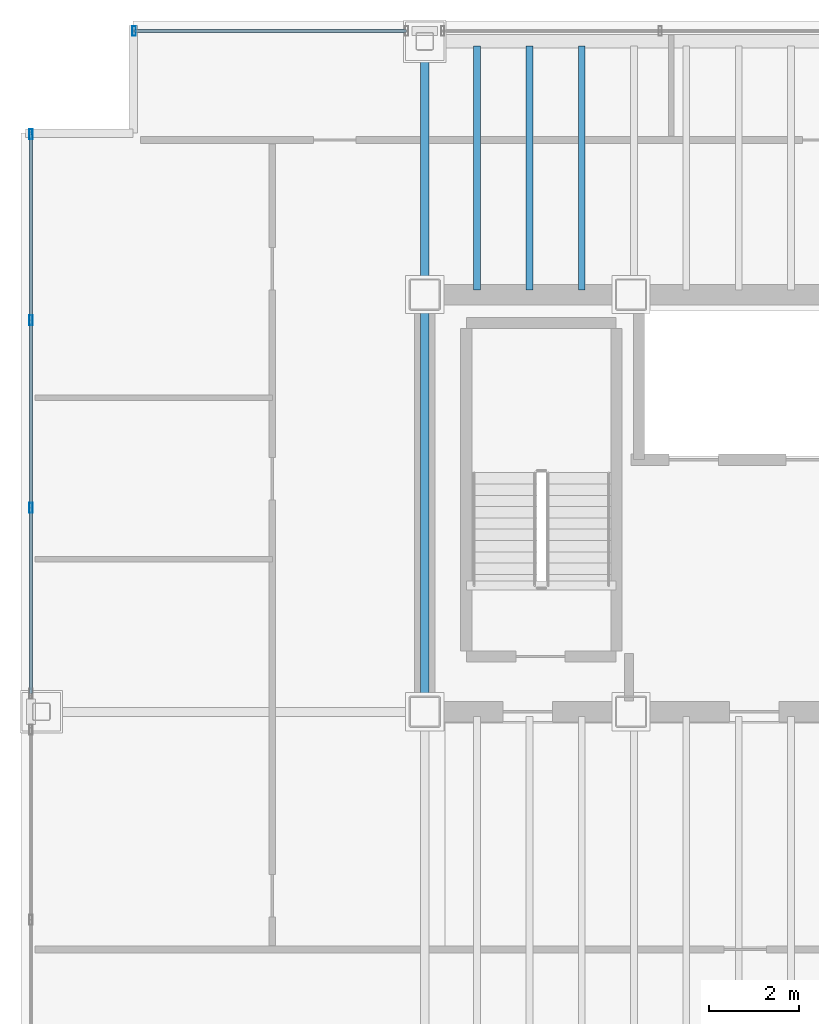
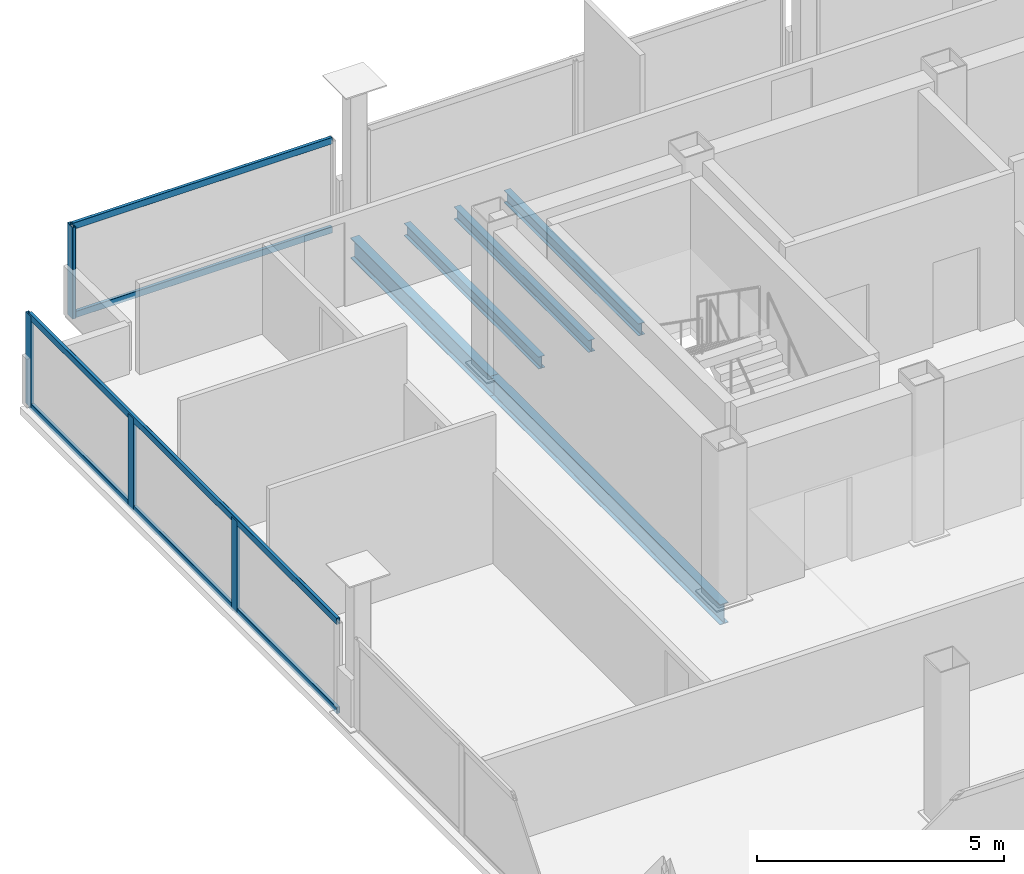
# One storey, part 7 of 16: 8 members, 5 beams, 2 elements without a shape of their own.
"""IFC4 building model written with IfcOpenShell, lengths in metres."""

from ifc_helpers import new_model, si_unit, direction, frame, origin, origin_2d, place, context, subcontext, project, spatial, hollow_rectangle, i_section, extrude, material, material_profile, profile_set, type_object, element, aggregate, save


model = new_model("IFC4")

# Units and contexts
model_context = context("Model", 3, precision=1e-05, world=origin(), true_north=direction((0.0, 1.0)))
body_context = subcontext(model_context, "Body", "Model", "MODEL_VIEW")
ifc_project = project(units=[si_unit("LENGTHUNIT", "METRE"), si_unit("AREAUNIT", "SQUARE_METRE"), si_unit("VOLUMEUNIT", "CUBIC_METRE"), si_unit("PLANEANGLEUNIT", "RADIAN"), si_unit("MASSUNIT", "GRAM", prefix="KILO")], contexts=[model_context])

# Site, building, storey
site_placement = place(None, origin())
site = spatial("IfcSite", under=ifc_project, at=site_placement, CompositionType="ELEMENT")
building_placement = place(site_placement, origin())
building = spatial("IfcBuilding", under=site, at=building_placement, Name="Noeulbin Bourse Tower", CompositionType="ELEMENT")
storey_placement = place(building_placement, frame((0.0, 0.0, 277.39990234375)))
storey = spatial("IfcBuildingStorey", under=building, at=storey_placement, Name="L69", CompositionType="ELEMENT", Elevation=277.39990234375)

# Beams
ifc_material_1 = material(Name="Steel S355", Category="steel")
ifc_material_profile_1 = material_profile(ifc_material_1, i_section(OverallWidth=0.199951171875, OverallDepth=0.5, WebThickness=0.010009765625, FlangeThickness=0.01611328125, FilletRadius=0.02001953125, at=origin_2d()), Name="H-500x200x10x16", Category="LoadBearing")
ifc_profile_set_1 = profile_set([ifc_material_profile_1], Name="Steel S355")
beam_type_1 = type_object("IfcBeamType", Name="BM-GRD-500", PredefinedType="USERDEFINED", material=ifc_profile_set_1)
beam_1_placement = place(storey_placement, frame((13.5, 29.0, -0.429931640625), z_axis=(0.0, 1.0, 0.0), x_axis=(-1.0, 0.0, 0.0)))
element("IfcBeam", 1, at=beam_1_placement, inside=storey, type_object=beam_type_1, Name="Tower Primary Girder NS L69-1.3", ObjectType="GIRDER", PredefinedType="USERDEFINED", context=body_context, shape_type="SweptSolid", body=[
    extrude(i_section(OverallWidth=0.199951171875, OverallDepth=0.5, WebThickness=0.010009765625, FlangeThickness=0.01611328125, FilletRadius=0.02001953125, at=origin_2d()), origin(), (0.0, 0.0, 1.0), 9.300048828125),
])
beam_2_placement = place(storey_placement, frame((13.5, 38.300048828125, -0.429931640625), z_axis=(0.0, 1.0, 0.0), x_axis=(-1.0, 0.0, 0.0)))
element("IfcBeam", 2, at=beam_2_placement, inside=storey, type_object=beam_type_1, Name="Tower Primary Girder NS L69-1.4", ObjectType="GIRDER", PredefinedType="USERDEFINED", context=body_context, shape_type="SweptSolid", body=[
    extrude(i_section(OverallWidth=0.199951171875, OverallDepth=0.5, WebThickness=0.010009765625, FlangeThickness=0.01611328125, FilletRadius=0.02001953125, at=origin_2d()), origin(), (0.0, 0.0, 1.0), 5.64990234375),
])
ifc_material_profile_2 = material_profile(ifc_material_1, i_section(OverallWidth=0.14990234375, OverallDepth=0.300048828125, WebThickness=0.006591796875, FlangeThickness=0.009033203125, FilletRadius=0.012939453125, at=origin_2d()), Name="H-300x150x6.5x9", Category="LoadBearing")
ifc_profile_set_2 = profile_set([ifc_material_profile_2], Name="Steel S355")
beam_type_2 = type_object("IfcBeamType", Name="BM-JST-300", PredefinedType="JOIST", material=ifc_profile_set_2)
for number, where, z_axis, x_axis, name in (
    (3, (14.666748046875, 38.39990234375, -0.329833984375), (0.0, 1.0, 0.0), (-1.0, 0.0, 0.0), "Tower Composite Joist L69-02"),
    (4, (15.833251953125, 38.39990234375, -0.329833984375), (0.0, 1.0, 0.0), (-1.0, 0.0, 0.0), "Tower Composite Joist L69-04"),
    (5, (17.0, 38.39990234375, -0.329833984375), (0.0, 1.0, 0.0), (-1.0, 0.0, 0.0), "Tower Composite Joist L69-06"),
):
    element("IfcBeam", number, at=place(storey_placement, frame(where, z_axis=z_axis, x_axis=x_axis)), inside=storey, type_object=beam_type_2, Name=name, PredefinedType="JOIST", context=body_context, shape_type="SweptSolid", body=[
        extrude(i_section(OverallWidth=0.14990234375, OverallDepth=0.300048828125, WebThickness=0.006591796875, FlangeThickness=0.009033203125, FilletRadius=0.012939453125, at=origin_2d()), origin(), (0.0, 0.0, 1.0), 5.4501953125),
    ])

# Curtain wall, member
ifc_material_2 = material(Name="High-Selectivity Low-Iron Glazing", Category="glass")
curtain_wall_type = type_object("IfcCurtainWallType", Name="CW-SYS-4", PredefinedType="NOTDEFINED", material=ifc_material_2)
curtain_wall_1_placement = place(storey_placement, origin())
curtain_wall_1 = element("IfcCurtainWall", 6, at=curtain_wall_1_placement, inside=storey, type_object=curtain_wall_type, Name="Unitised Curtain Wall CW-L69-N-S1", PredefinedType="NOTDEFINED")
ifc_material_3 = material(Name="Anodised Aluminium 6063-T6", Category="aluminium")
ifc_material_profile_3 = material_profile(ifc_material_3, hollow_rectangle(XDim=0.074951171875, YDim=0.219970703125, WallThickness=0.0048828125, InnerFilletRadius=0.00244140625, OuterFilletRadius=0.0048828125, at=origin_2d()), Name="ALU-MULL-75x220x5", Category="LoadBearing")
ifc_profile_set_3 = profile_set([ifc_material_profile_3], Name="Anodised Aluminium 6063-T6")
member_type_1 = type_object("IfcMemberType", Name="CW-SYS-4-MUL", PredefinedType="MULLION", material=ifc_profile_set_3)
member_1_placement = place(storey_placement, frame((7.02001953125, 44.179931640625, -0.02001953125), z_axis=(0.0, 0.0, 1.0), x_axis=(1.0, 0.0, 0.0)))
member_1 = element("IfcMember", 7, at=member_1_placement, type_object=member_type_1, Name="Curtain Wall Mullion CW-L69-N-S1-M00", PredefinedType="MULLION", context=body_context, shape_type="SweptSolid", body=[
    extrude(hollow_rectangle(XDim=0.074951171875, YDim=0.219970703125, WallThickness=0.0048828125, InnerFilletRadius=0.00244140625, OuterFilletRadius=0.0048828125, at=origin_2d()), origin(), (0.0, 0.0, 1.0), 2.260009765625),
])

# Curtain wall, members
curtain_wall_2_placement = place(storey_placement, origin())
curtain_wall_2 = element("IfcCurtainWall", 8, at=curtain_wall_2_placement, inside=storey, type_object=curtain_wall_type, Name="Unitised Curtain Wall CW-L69-W-S2", PredefinedType="NOTDEFINED")
member_2_placement = place(storey_placement, frame((4.719970703125, 33.546630859375, -0.02001953125), z_axis=(0.0, 0.0, 1.0), x_axis=(1.0, 0.0, 0.0)))
member_2 = element("IfcMember", 9, at=member_2_placement, type_object=member_type_1, Name="Curtain Wall Mullion CW-L69-W-S2-M01", PredefinedType="MULLION", context=body_context, shape_type="SweptSolid", body=[
    extrude(hollow_rectangle(XDim=0.074951171875, YDim=0.219970703125, WallThickness=0.0048828125, InnerFilletRadius=0.00244140625, OuterFilletRadius=0.0048828125, at=origin_2d()), origin(), (0.0, 0.0, 1.0), 2.260009765625),
])
member_3_placement = place(storey_placement, frame((4.719970703125, 37.7333984375, -0.02001953125), z_axis=(0.0, 0.0, 1.0), x_axis=(1.0, 0.0, 0.0)))
member_3 = element("IfcMember", 10, at=member_3_placement, type_object=member_type_1, Name="Curtain Wall Mullion CW-L69-W-S2-M02", PredefinedType="MULLION", context=body_context, shape_type="SweptSolid", body=[
    extrude(hollow_rectangle(XDim=0.074951171875, YDim=0.219970703125, WallThickness=0.0048828125, InnerFilletRadius=0.00244140625, OuterFilletRadius=0.0048828125, at=origin_2d()), origin(), (0.0, 0.0, 1.0), 2.260009765625),
])
member_4_placement = place(storey_placement, frame((4.719970703125, 41.8798828125, -0.02001953125), z_axis=(0.0, 0.0, 1.0), x_axis=(1.0, 0.0, 0.0)))
member_4 = element("IfcMember", 11, at=member_4_placement, type_object=member_type_1, Name="Curtain Wall Mullion CW-L69-W-S2-M03", PredefinedType="MULLION", context=body_context, shape_type="SweptSolid", body=[
    extrude(hollow_rectangle(XDim=0.074951171875, YDim=0.219970703125, WallThickness=0.0048828125, InnerFilletRadius=0.00244140625, OuterFilletRadius=0.0048828125, at=origin_2d()), origin(), (0.0, 0.0, 1.0), 2.260009765625),
])

# Member
ifc_material_profile_4 = material_profile(ifc_material_3, hollow_rectangle(XDim=0.074951171875, YDim=0.159912109375, WallThickness=0.0048828125, InnerFilletRadius=0.00244140625, OuterFilletRadius=0.0048828125, at=origin_2d()), Name="ALU-TRAN-75x160x5", Category="LoadBearing")
ifc_profile_set_4 = profile_set([ifc_material_profile_4], Name="Anodised Aluminium 6063-T6")
member_type_2 = type_object("IfcMemberType", Name="CW-SYS-4-TRN", PredefinedType="USERDEFINED", material=ifc_profile_set_4)
member_5_placement = place(storey_placement, frame((7.030029296875, 44.179931640625, 0.010009765625), z_axis=(1.0, 0.0, 0.0), x_axis=(0.0, 1.0, 0.0)))
member_5 = element("IfcMember", 12, at=member_5_placement, type_object=member_type_2, Name="Curtain Wall Transom CW-L69-N-S1-T00", ObjectType="TRANSOM", PredefinedType="USERDEFINED", context=body_context, shape_type="SweptSolid", body=[
    extrude(hollow_rectangle(XDim=0.074951171875, YDim=0.159912109375, WallThickness=0.0048828125, InnerFilletRadius=0.00244140625, OuterFilletRadius=0.0048828125, at=origin_2d()), origin(), (0.0, 0.0, 1.0), 6.06005859375),
])

member_6_placement = place(storey_placement, frame((7.030029296875, 44.179931640625, 2.210205078125), z_axis=(1.0, 0.0, 0.0), x_axis=(0.0, 1.0, 0.0)))
member_6 = element("IfcMember", 13, at=member_6_placement, type_object=member_type_2, Name="Curtain Wall Transom CW-L69-N-S1-T01", ObjectType="TRANSOM", PredefinedType="USERDEFINED", context=body_context, shape_type="SweptSolid", body=[
    extrude(hollow_rectangle(XDim=0.074951171875, YDim=0.159912109375, WallThickness=0.0048828125, InnerFilletRadius=0.00244140625, OuterFilletRadius=0.0048828125, at=origin_2d()), origin(), (0.0, 0.0, 1.0), 6.06005859375),
])

aggregate(curtain_wall_1, [member_1, member_5, member_6])

member_7_placement = place(storey_placement, frame((4.719970703125, 29.409912109375, 0.010009765625), z_axis=(0.0, 1.0, 0.0), x_axis=(-1.0, 0.0, 0.0)))
member_7 = element("IfcMember", 14, at=member_7_placement, type_object=member_type_2, Name="Curtain Wall Transom CW-L69-W-S2-T00", ObjectType="TRANSOM", PredefinedType="USERDEFINED", context=body_context, shape_type="SweptSolid", body=[
    extrude(hollow_rectangle(XDim=0.074951171875, YDim=0.159912109375, WallThickness=0.0048828125, InnerFilletRadius=0.00244140625, OuterFilletRadius=0.0048828125, at=origin_2d()), origin(), (0.0, 0.0, 1.0), 12.460205078125),
])

member_8_placement = place(storey_placement, frame((4.719970703125, 29.409912109375, 2.210205078125), z_axis=(0.0, 1.0, 0.0), x_axis=(-1.0, 0.0, 0.0)))
member_8 = element("IfcMember", 15, at=member_8_placement, type_object=member_type_2, Name="Curtain Wall Transom CW-L69-W-S2-T01", ObjectType="TRANSOM", PredefinedType="USERDEFINED", context=body_context, shape_type="SweptSolid", body=[
    extrude(hollow_rectangle(XDim=0.074951171875, YDim=0.159912109375, WallThickness=0.0048828125, InnerFilletRadius=0.00244140625, OuterFilletRadius=0.0048828125, at=origin_2d()), origin(), (0.0, 0.0, 1.0), 12.460205078125),
])

aggregate(curtain_wall_2, [member_2, member_3, member_4, member_7, member_8])

save(model, "model.ifc")
